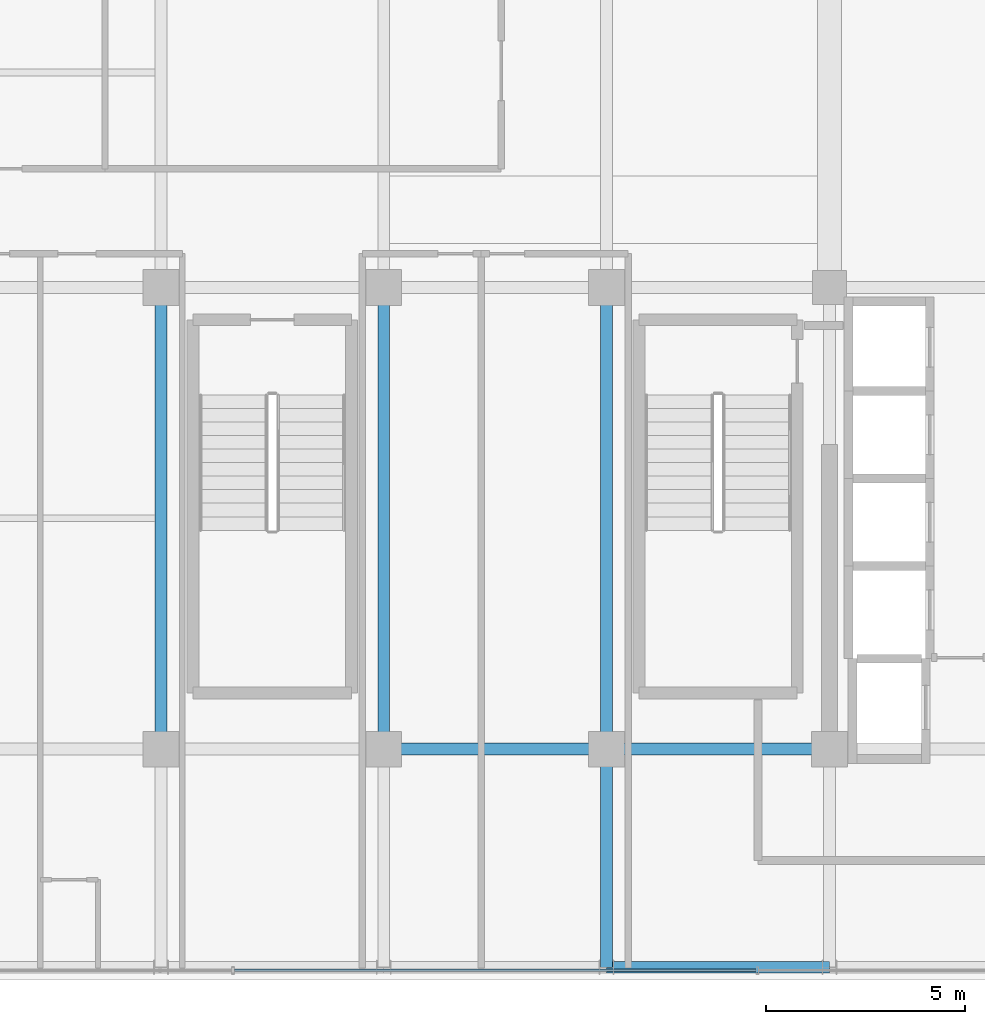
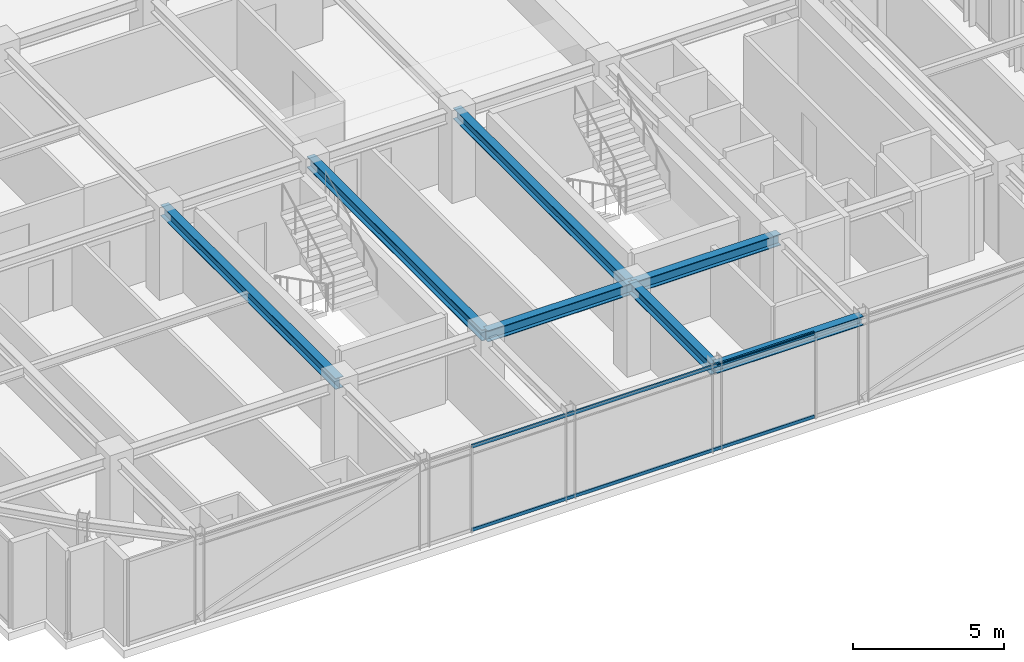
# One storey, part 7 of 36: 7 beams, 2 members, 1 element without a shape of its own.
"""IFC4 building model written with IfcOpenShell, lengths in metres."""

import ifcopenshell
import ifcopenshell.guid

model = None  # the IFC model being written
_history = None  # IfcOwnerHistory: only IFC2X3 demands one
_inside = {}  # id of a spatial element -> (the spatial element, [elements in it])
_under = {}  # id of a project, library or spatial element -> (it, [spatial elements below it])
_declared = {}  # id of a project -> (the project, [libraries it declares])
_typed = {}  # id of a type object -> (the type object, [elements of that type])
_made_of = {}  # id of a material, layer set ... -> (it, [elements and type objects made of it])


def new_model(schema):
    """Start an empty IFC model of exactly this schema.

    Asked for "IFC4X3", IfcOpenShell would pick the latest addendum, in which some entities
    have other attributes; the version numbers below select the first issue.
    IFC2X3 requires an IfcOwnerHistory on every rooted entity: one is made here for all.
    """
    global model, _history
    if schema == "IFC4X3":
        model = ifcopenshell.file(schema_version=(4, 3, 0, 0))
    else:
        model = ifcopenshell.file(schema=schema)
    _inside.clear()
    _under.clear()
    _declared.clear()
    _typed.clear()
    _made_of.clear()
    _history = None
    if model.schema == "IFC2X3":
        org = make("IfcOrganization", Name="unknown")
        user = make(
            "IfcPersonAndOrganization",
            ThePerson=make("IfcPerson", FamilyName="unknown"),
            TheOrganization=org,
        )
        app = make(
            "IfcApplication",
            ApplicationDeveloper=org,
            Version="unknown",
            ApplicationFullName="unknown",
            ApplicationIdentifier="unknown",
        )
        _history = make(
            "IfcOwnerHistory",
            OwningUser=user,
            OwningApplication=app,
            ChangeAction="ADDED",
            CreationDate=0,
        )
    return model


def make(cls, **values):
    """One entity of the class cls with the attributes given. An attribute that is None is left unset."""
    return model.create_entity(
        cls, **{name: value for name, value in values.items() if value is not None}
    )


def rooted(cls, **values):
    """An entity with a GlobalId (a new one), such as an element, a storey or a relation."""
    return make(cls, GlobalId=ifcopenshell.guid.new(), OwnerHistory=_history, **values)


def si_unit(unit_type, name, prefix=None):
    """IfcSIUnit, for example si_unit("LENGTHUNIT", "METRE", prefix="MILLI")."""
    return make("IfcSIUnit", UnitType=unit_type, Prefix=prefix, Name=name)


def assignment(units):
    """IfcUnitAssignment: the units of a project."""
    return None if units is None else make("IfcUnitAssignment", Units=units)


def point(xyz):
    """IfcCartesianPoint."""
    return None if xyz is None else make("IfcCartesianPoint", Coordinates=xyz)


def direction(xyz):
    """IfcDirection."""
    return None if xyz is None else make("IfcDirection", DirectionRatios=xyz)


def frame(location, z_axis=None, x_axis=None):
    """IfcAxis2Placement3D, a coordinate frame: its origin and axes. An axis left out is left unset."""
    return make(
        "IfcAxis2Placement3D",
        Location=point(location),
        Axis=direction(z_axis),
        RefDirection=direction(x_axis),
    )


def frame_2d(location, x_axis=None):
    """IfcAxis2Placement2D, a coordinate frame in the plane: its origin and x axis."""
    return make(
        "IfcAxis2Placement2D", Location=point(location), RefDirection=direction(x_axis)
    )


def origin():
    """The frame at (0, 0, 0) with its axes left unset."""
    return frame((0.0, 0.0, 0.0))


def origin_2d():
    """The frame at (0, 0) in the plane with its x axis left unset."""
    return frame_2d((0.0, 0.0))


def place(relative_to, where):
    """IfcLocalPlacement: puts the frame where relative to a parent placement (None: the world)."""
    return make(
        "IfcLocalPlacement", PlacementRelTo=relative_to, RelativePlacement=where
    )


def context(
    kind, dimensions, precision=None, world=None, true_north=None, identifier=None
):
    """IfcGeometricRepresentationContext, for example the 3D "Model" context."""
    return make(
        "IfcGeometricRepresentationContext",
        ContextIdentifier=identifier,
        ContextType=kind,
        CoordinateSpaceDimension=dimensions,
        Precision=precision,
        WorldCoordinateSystem=world,
        TrueNorth=true_north,
    )


def subcontext(parent, identifier, kind, view, scale=None):
    """IfcGeometricRepresentationSubContext, for example "Body" below "Model"."""
    return make(
        "IfcGeometricRepresentationSubContext",
        ContextIdentifier=identifier,
        ContextType=kind,
        ParentContext=parent,
        TargetScale=scale,
        TargetView=view,
    )


def project(units=None, contexts=None):
    """IfcProject with its units and contexts."""
    return rooted(
        "IfcProject",
        Name="project",
        RepresentationContexts=contexts,
        UnitsInContext=assignment(units),
    )


def spatial(cls, under=None, at=None, **own):
    """A site, building, storey or space (cls), placed at a placement, below another one or the project."""
    s = rooted(cls, ObjectPlacement=at, **own)
    if under is not None:
        _under.setdefault(under.id(), (under, []))[1].append(s)
    return s


def profile(cls, at=None, kind="AREA", **sizes):
    """A parametric profile (cls). Its sizes go by their IFC names, for example OverallWidth=200.0."""
    return make(cls, ProfileType=kind, Position=at, **sizes)


def hollow_rectangle(**sizes):
    """IfcRectangleHollowProfileDef."""
    return profile("IfcRectangleHollowProfileDef", **sizes)


def i_section(**sizes):
    """IfcIShapeProfileDef."""
    return profile("IfcIShapeProfileDef", **sizes)


def extrude(swept, where, along, depth):
    """IfcExtrudedAreaSolid: the profile swept, set in the frame where, extruded along a direction by depth."""
    return make(
        "IfcExtrudedAreaSolid",
        SweptArea=swept,
        Position=where,
        ExtrudedDirection=direction(along),
        Depth=depth,
    )


def shape(context_of_items, identifier, shape_type, items):
    """IfcShapeRepresentation: the items that make up one representation, for example the "Body"."""
    return make(
        "IfcShapeRepresentation",
        ContextOfItems=context_of_items,
        RepresentationIdentifier=identifier,
        RepresentationType=shape_type,
        Items=items,
    )


def source(mapping_origin, context_of_items, identifier, shape_type, items):
    """IfcRepresentationMap: a shape defined once, which mapped items show again and again."""
    return make(
        "IfcRepresentationMap",
        MappingOrigin=mapping_origin,
        MappedRepresentation=shape(context_of_items, identifier, shape_type, items),
    )


def transform(
    local_origin,
    x_axis=None,
    y_axis=None,
    z_axis=None,
    scale=None,
    scale2=None,
    scale3=None,
    uniform=True,
):
    """IfcCartesianTransformationOperator3D, or its non-uniform kind. x_axis, y_axis, z_axis: its Axis1, 2, 3."""
    if uniform:
        return make(
            "IfcCartesianTransformationOperator3D",
            Axis1=direction(x_axis),
            Axis2=direction(y_axis),
            LocalOrigin=point(local_origin),
            Scale=scale,
            Axis3=direction(z_axis),
        )
    return make(
        "IfcCartesianTransformationOperator3DnonUniform",
        Axis1=direction(x_axis),
        Axis2=direction(y_axis),
        LocalOrigin=point(local_origin),
        Scale=scale,
        Axis3=direction(z_axis),
        Scale2=scale2,
        Scale3=scale3,
    )


def mapped(mapping_source, mapping_target):
    """IfcMappedItem: shows the shape of a source again, moved by a transform."""
    return make(
        "IfcMappedItem", MappingSource=mapping_source, MappingTarget=mapping_target
    )


def material(Name=None, Category=None):
    """IfcMaterial."""
    return make("IfcMaterial", Name=Name, Category=Category)


def material_profile(
    of_material, cross_section, Name=None, Category=None, Priority=None
):
    """IfcMaterialProfile: a cross section and its material."""
    return make(
        "IfcMaterialProfile",
        Name=Name,
        Material=of_material,
        Profile=cross_section,
        Priority=Priority,
        Category=Category,
    )


def profile_set(profiles, Name=None, composite=None):
    """IfcMaterialProfileSet."""
    return make(
        "IfcMaterialProfileSet",
        Name=Name,
        MaterialProfiles=profiles,
        CompositeProfile=composite,
    )


def made_of(thing, what):
    """Note that an element or type object is made of a material, layer set ...; save() writes the relation."""
    if what is not None:
        _made_of.setdefault(what.id(), (what, []))[1].append(thing)
    return thing


def type_object(cls, material=None, **own):
    """A type object (cls), such as IfcWallType, which elements share."""
    return made_of(rooted(cls, **own), material)


def element(
    cls,
    number,
    at=None,
    inside=None,
    cuts=None,
    type_object=None,
    material=None,
    context=None,
    identifier="Body",
    shape_type=None,
    held_by="IfcProductDefinitionShape",
    body=None,
    shapes=None,
    **own,
):
    """One element of the class cls, such as IfcWall. Its Tag is "e" and its number.

    at: its placement. inside: the storey or other place that contains it. cuts: it is an
    opening in that element (IfcRelVoidsElement). A single representation is given by context,
    identifier, shape_type and body (its items); several are given by shapes. held_by: the class
    of the entity that holds the representations. save() writes the other relations.
    """
    e = rooted(cls, Tag="e%d" % number, ObjectPlacement=at, **own)
    if body is not None:
        shapes = [shape(context, identifier, shape_type, body)]
    if shapes is not None:
        e.Representation = make(held_by, Representations=shapes)
    if inside is not None:
        _inside.setdefault(inside.id(), (inside, []))[1].append(e)
    if cuts is not None:
        rooted(
            "IfcRelVoidsElement", RelatingBuildingElement=cuts, RelatedOpeningElement=e
        )
    if type_object is not None:
        _typed.setdefault(type_object.id(), (type_object, []))[1].append(e)
    return made_of(e, material)


def aggregate(whole, parts):
    """IfcRelAggregates: a whole, such as a stair, and the parts it consists of."""
    return rooted("IfcRelAggregates", RelatingObject=whole, RelatedObjects=parts)


def save(model, path):
    """Write the relations noted so far, then the file.

    IfcRelAggregates (storeys below a building ...), IfcRelContainedInSpatialStructure (elements
    in a storey), IfcRelDefinesByType, IfcRelAssociatesMaterial and IfcRelDeclares: one each for
    every whole, place, type object, material and project.
    """
    for whole, parts in _under.values():
        aggregate(whole, parts)
    for where, things in _inside.values():
        rooted(
            "IfcRelContainedInSpatialStructure",
            RelatedElements=things,
            RelatingStructure=where,
        )
    for kind, things in _typed.values():
        rooted("IfcRelDefinesByType", RelatedObjects=things, RelatingType=kind)
    for what, things in _made_of.values():
        rooted("IfcRelAssociatesMaterial", RelatedObjects=things, RelatingMaterial=what)
    for by, libraries in _declared.values():
        rooted("IfcRelDeclares", RelatingContext=by, RelatedDefinitions=libraries)
    model.write(path)


model = new_model("IFC4")

# Units and contexts
model_context = context("Model", 3, precision=1e-05, world=origin(), true_north=direction((0.0, 1.0)))
body_context = subcontext(model_context, "Body", "Model", "MODEL_VIEW")
ifc_project = project(units=[si_unit("LENGTHUNIT", "METRE"), si_unit("AREAUNIT", "SQUARE_METRE"), si_unit("VOLUMEUNIT", "CUBIC_METRE"), si_unit("PLANEANGLEUNIT", "RADIAN"), si_unit("MASSUNIT", "GRAM", prefix="KILO")], contexts=[model_context])

# Site, building, storey
site_placement = place(None, origin())
site = spatial("IfcSite", under=ifc_project, at=site_placement, CompositionType="ELEMENT")
building_placement = place(site_placement, origin())
building = spatial("IfcBuilding", under=site, at=building_placement, Name="Nahalor Promenade Grand Hotel", CompositionType="ELEMENT")
storey_placement = place(building_placement, frame((0.0, 0.0, 319.550048828125)))
storey = spatial("IfcBuildingStorey", under=building, at=storey_placement, Name="L82", CompositionType="ELEMENT", Elevation=319.550048828125)

# Beams
ifc_material_1 = material(Name="Steel S355JR", Category="steel")
ifc_material_profile_1 = material_profile(ifc_material_1, i_section(OverallWidth=0.3, OverallDepth=0.45, WebThickness=0.014, FlangeThickness=0.026, at=origin_2d()), Name="HEB 450")
ifc_profile_set_1 = profile_set([ifc_material_profile_1], Name="Steel S355JR")
beam_type_1 = type_object("IfcBeamType", Name="Beam-Girder-HEB450", PredefinedType="BEAM", material=ifc_profile_set_1)
shared_shape_1 = source(origin(), body_context, "Body", "SweptSolid", [
    extrude(i_section(OverallWidth=0.3, OverallDepth=0.45, WebThickness=0.014, FlangeThickness=0.026, at=origin_2d()), origin(), (0.0, 0.0, 1.0), 5.599853515625),
])
beam_1_placement = place(storey_placement, frame((2.800048828125, -17.0, 3.27490234375), z_axis=(1.0, 0.0, 0.0), x_axis=(0.0, 1.0, 0.0)))
element("IfcBeam", 1, at=beam_1_placement, inside=storey, type_object=beam_type_1, Name="BM-L82-GX-0-4", PredefinedType="BEAM", context=body_context, shape_type="MappedRepresentation", body=[
    mapped(shared_shape_1, transform((0.0, 0.0, 0.0), scale=1.0)),
])
shared_shape_2 = source(origin(), body_context, "Body", "SweptSolid", [
    extrude(i_section(OverallWidth=0.3, OverallDepth=0.45, WebThickness=0.014, FlangeThickness=0.026, at=origin_2d()), origin(), (0.0, 0.0, 1.0), 5.60009765625),
])
beam_2_placement = place(storey_placement, frame((-2.800048828125, -17.0, 3.27490234375), z_axis=(1.0, 0.0, 0.0), x_axis=(0.0, 1.0, 0.0)))
element("IfcBeam", 2, at=beam_2_placement, inside=storey, type_object=beam_type_1, Name="BM-L82-GX-0-3", PredefinedType="BEAM", context=body_context, shape_type="MappedRepresentation", body=[
    mapped(shared_shape_2, transform((0.0, 0.0, 0.0), scale=1.0)),
])
shared_shape_3 = source(origin(), body_context, "Body", "SweptSolid", [
    extrude(i_section(OverallWidth=0.3, OverallDepth=0.45, WebThickness=0.014, FlangeThickness=0.026, at=origin_2d()), origin(), (0.0, 0.0, 1.0), 11.60009765625),
])
for number, where, z_axis, x_axis, name in (
    (3, (-8.39990234375, -17.0, 3.27490234375), (0.0, 1.0, 0.0), (-1.0, 0.0, 0.0), "BM-L82-GY-1-1"),
    (4, (-2.800048828125, -17.0, 3.27490234375), (0.0, 1.0, 0.0), (-1.0, 0.0, 0.0), "BM-L82-GY-2-1"),
    (5, (2.800048828125, -17.0, 3.27490234375), (0.0, 1.0, 0.0), (-1.0, 0.0, 0.0), "BM-L82-GY-3-1"),
):
    element("IfcBeam", number, at=place(storey_placement, frame(where, z_axis=z_axis, x_axis=x_axis)), inside=storey, type_object=beam_type_1, Name=name, PredefinedType="BEAM", context=body_context, shape_type="MappedRepresentation", body=[
        mapped(shared_shape_3, transform((0.0, 0.0, 0.0), scale=1.0)),
    ])
shared_shape_4 = source(origin(), body_context, "Body", "SweptSolid", [
    extrude(i_section(OverallWidth=0.3, OverallDepth=0.45, WebThickness=0.014, FlangeThickness=0.026, at=origin_2d()), origin(), (0.0, 0.0, 1.0), 5.47998046875),
])
beam_3_placement = place(storey_placement, frame((2.800048828125, -22.47998046875, 3.27490234375), z_axis=(0.0, 1.0, 0.0), x_axis=(-1.0, 0.0, 0.0)))
element("IfcBeam", 6, at=beam_3_placement, inside=storey, type_object=beam_type_1, Name="BM-L82-GY-3-0", PredefinedType="BEAM", context=body_context, shape_type="MappedRepresentation", body=[
    mapped(shared_shape_4, transform((0.0, 0.0, 0.0), scale=1.0)),
])
ifc_material_profile_2 = material_profile(ifc_material_1, i_section(OverallWidth=0.3, OverallDepth=0.36, WebThickness=0.0125, FlangeThickness=0.0225, at=origin_2d()), Name="HEB 360")
ifc_profile_set_2 = profile_set([ifc_material_profile_2], Name="Steel S355JR")
beam_type_2 = type_object("IfcBeamType", Name="Beam-Spandrel-HEB360", PredefinedType="SPANDREL", material=ifc_profile_set_2)
shared_shape_5 = source(origin(), body_context, "Body", "SweptSolid", [
    extrude(i_section(OverallWidth=0.3, OverallDepth=0.36, WebThickness=0.0125, FlangeThickness=0.0225, at=origin_2d()), origin(), (0.0, 0.0, 1.0), 5.599853515625),
])
beam_4_placement = place(storey_placement, frame((2.800048828125, -22.47998046875, 3.320068359375), z_axis=(1.0, 0.0, 0.0), x_axis=(0.0, 1.0, 0.0)))
element("IfcBeam", 7, at=beam_4_placement, inside=storey, type_object=beam_type_2, Name="BM-L82-SP-S-3", PredefinedType="SPANDREL", context=body_context, shape_type="MappedRepresentation", body=[
    mapped(shared_shape_5, transform((0.0, 0.0, 0.0), scale=1.0)),
])

# Curtain wall, members
ifc_material_2 = material(Name="Anodised Bronze Aluminium EN AW-6063 T6", Category="aluminium")
curtain_wall_type = type_object("IfcCurtainWallType", Name="CW2 Typical Hotel Flush Bronze Unitised Curtain Wall", PredefinedType="USERDEFINED", material=ifc_material_2)
curtain_wall_placement = place(storey_placement, origin())
curtain_wall = element("IfcCurtainWall", 8, at=curtain_wall_placement, inside=storey, type_object=curtain_wall_type, Name="L82 Curtain Wall CW-L82-S-1", ObjectType="UNITISED_CURTAIN_WALL", PredefinedType="USERDEFINED")
ifc_material_profile_3 = material_profile(ifc_material_2, hollow_rectangle(XDim=0.065, YDim=0.13, WallThickness=0.004, at=origin_2d()), Name="CWT 65x130x4")
ifc_profile_set_3 = profile_set([ifc_material_profile_3], Name="Anodised Bronze Aluminium EN AW-6063 T6")
member_type = type_object("IfcMemberType", Name="CWT2 Typical Bronze Transom 65x130", PredefinedType="USERDEFINED", material=ifc_profile_set_3)
shared_shape_6 = source(origin(), body_context, "Body", "SweptSolid", [
    extrude(hollow_rectangle(XDim=0.065, YDim=0.13, WallThickness=0.004, at=origin_2d()), origin(), (0.0, 0.0, 1.0), 13.1083984375),
])
member_1_placement = place(storey_placement, frame((-6.55419921875, -22.56005859375, 0.06494140625), z_axis=(1.0, 0.0, 0.0), x_axis=(0.0, 1.0, 0.0)))
member_1 = element("IfcMember", 9, at=member_1_placement, type_object=member_type, Name="CW-L82-S-1 Transom 1-0", ObjectType="TRANSOM", PredefinedType="USERDEFINED", context=body_context, shape_type="MappedRepresentation", body=[
    mapped(shared_shape_6, transform((0.0, 0.0, 0.0), scale=1.0)),
])
member_2_placement = place(storey_placement, frame((-6.55419921875, -22.56005859375, 3.43505859375), z_axis=(1.0, 0.0, 0.0), x_axis=(0.0, 1.0, 0.0)))
member_2 = element("IfcMember", 10, at=member_2_placement, type_object=member_type, Name="CW-L82-S-1 Transom 1-1", ObjectType="TRANSOM", PredefinedType="USERDEFINED", context=body_context, shape_type="MappedRepresentation", body=[
    mapped(shared_shape_6, transform((0.0, 0.0, 0.0), scale=1.0)),
])
aggregate(curtain_wall, [member_1, member_2])

save(model, "model.ifc")
